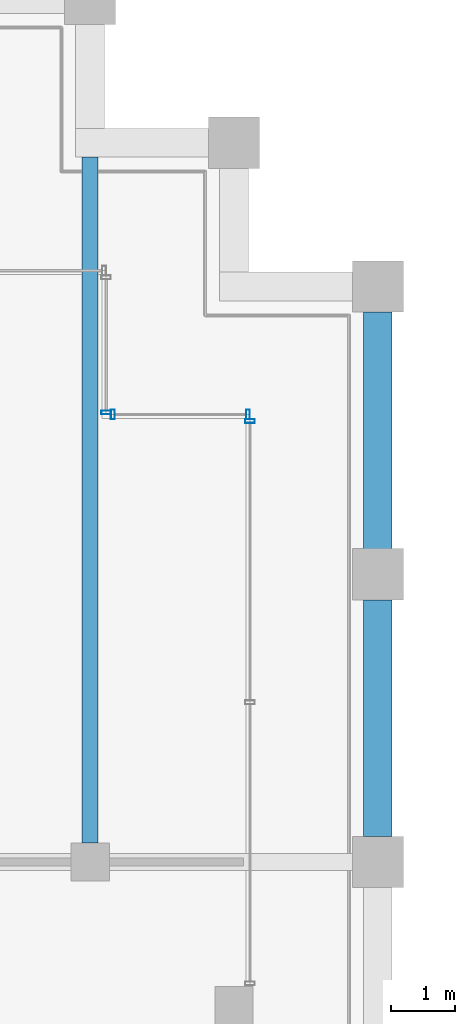
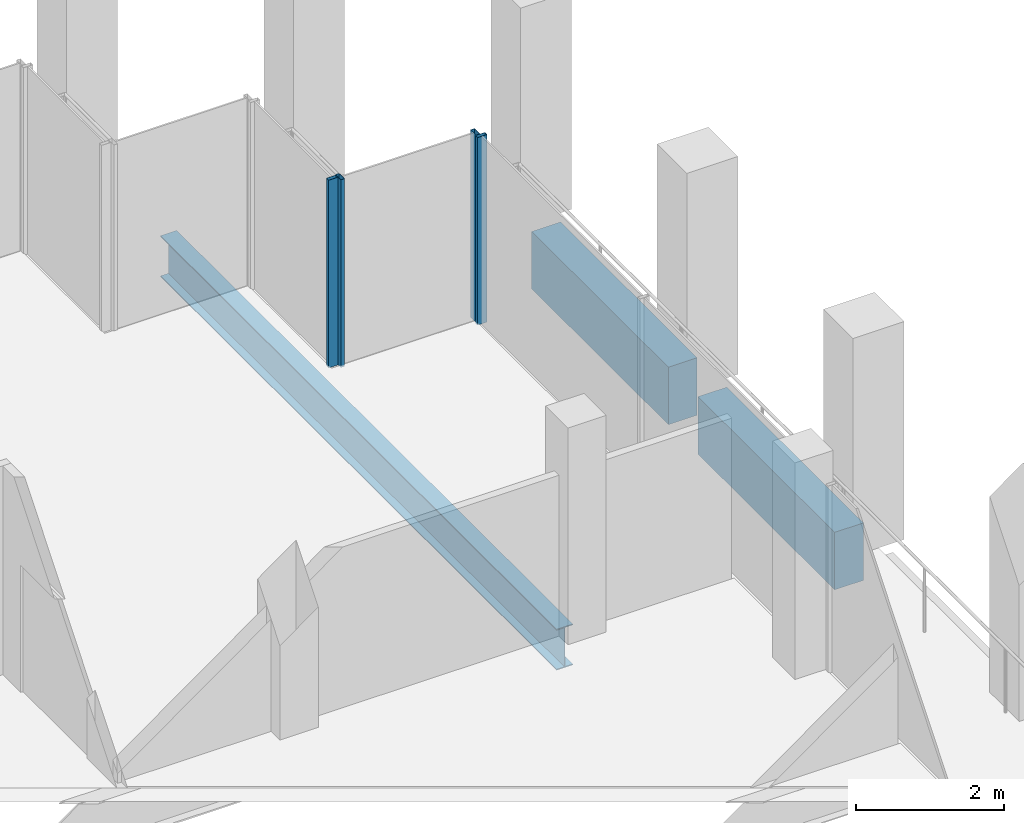
# One storey, part 25 of 41: 4 members, 3 beams, 3 elements without a shape of their own.
"""IFC4 building model written with IfcOpenShell, lengths in metres."""

from ifc_helpers import new_model, si_unit, direction, frame, origin, origin_2d, place, context, subcontext, project, spatial, rectangle, hollow_rectangle, i_section, extrude, material, material_profile, profile_set, type_object, element, aggregate, save


model = new_model("IFC4")

# Units and contexts
model_context = context("Model", 3, precision=1e-05, world=origin(), true_north=direction((0.0, 1.0)))
body_context = subcontext(model_context, "Body", "Model", "MODEL_VIEW")
ifc_project = project(units=[si_unit("LENGTHUNIT", "METRE"), si_unit("AREAUNIT", "SQUARE_METRE"), si_unit("VOLUMEUNIT", "CUBIC_METRE"), si_unit("PLANEANGLEUNIT", "RADIAN"), si_unit("MASSUNIT", "GRAM", prefix="KILO")], contexts=[model_context])

# Site, building, storey
site_placement = place(None, origin())
site = spatial("IfcSite", under=ifc_project, at=site_placement, CompositionType="ELEMENT")
building_placement = place(site_placement, origin())
building = spatial("IfcBuilding", under=site, at=building_placement, Name="Altepetl Exchange Towers", CompositionType="ELEMENT")
storey_placement = place(building_placement, frame((0.0, 0.0, 206.39990234375)))
storey = spatial("IfcBuildingStorey", under=building, at=storey_placement, Name="L52", CompositionType="ELEMENT", Elevation=206.39990234375)

# Beam
ifc_material_1 = material(Name="Steel S355", Category="steel")
ifc_material_profile_1 = material_profile(ifc_material_1, i_section(OverallWidth=0.2529296875, OverallDepth=0.677978515625, WebThickness=0.01171875, FlangeThickness=0.016357421875, at=origin_2d()), Name="W27X84")
ifc_profile_set_1 = profile_set([ifc_material_profile_1], Name="Steel S355")
beam_type_1 = type_object("IfcBeamType", Name="Floor beam W27X84", PredefinedType="BEAM", material=ifc_profile_set_1)
beam_placement = place(storey_placement, frame((67.5, 58.800048828125, -0.489013671875), z_axis=(0.0, 1.0, 0.0), x_axis=(-1.0, 0.0, 0.0)))
element("IfcBeam", 1, at=beam_placement, inside=storey, type_object=beam_type_1, Name="bm:A:L52:005", PredefinedType="BEAM", context=body_context, shape_type="SweptSolid", body=[
    extrude(i_section(OverallWidth=0.2529296875, OverallDepth=0.677978515625, WebThickness=0.01171875, FlangeThickness=0.016357421875, at=origin_2d()), origin(), (0.0, 0.0, 1.0), 10.724853515625),
])

# Curtain wall, member
ifc_material_2 = material(Name="Aluminium 6063-T6 glazing", Category="aluminium")
curtain_wall_type = type_object("IfcCurtainWallType", Name="Loggia glazing system", PredefinedType="NOTDEFINED", material=ifc_material_2)
curtain_wall_1_placement = place(storey_placement, origin())
curtain_wall_1 = element("IfcCurtainWall", 2, at=curtain_wall_1_placement, inside=storey, type_object=curtain_wall_type, Name="CW1 run", PredefinedType="NOTDEFINED")
ifc_material_3 = material(Name="Aluminium 6063-T6", Category="aluminium")
ifc_material_profile_2 = material_profile(ifc_material_3, hollow_rectangle(XDim=0.06005859375, YDim=0.14990234375, WallThickness=0.0029296875, at=origin_2d()), Name="Mullion 60x150 aluminium")
ifc_profile_set_2 = profile_set([ifc_material_profile_2], Name="Aluminium 6063-T6")
member_type = type_object("IfcMemberType", Name="Mullion 60x150 aluminium", PredefinedType="MULLION", material=ifc_profile_set_2)
member_1_placement = place(storey_placement, frame((70.0, 65.39501953125, 0.0), z_axis=(0.0, 0.0, 1.0), x_axis=(0.0, 1.0, 0.0)))
member_1 = element("IfcMember", 3, at=member_1_placement, type_object=member_type, Name="MU1 mullion", PredefinedType="MULLION", context=body_context, shape_type="SweptSolid", body=[
    extrude(hollow_rectangle(XDim=0.06005859375, YDim=0.14990234375, WallThickness=0.0029296875, at=origin_2d()), origin(), (0.0, 0.0, 1.0), 3.10009765625),
])
aggregate(curtain_wall_1, [member_1])

# Curtain wall, members
curtain_wall_2_placement = place(storey_placement, origin())
curtain_wall_2 = element("IfcCurtainWall", 4, at=curtain_wall_2_placement, inside=storey, type_object=curtain_wall_type, Name="CW1 run", PredefinedType="NOTDEFINED")
member_2_placement = place(storey_placement, frame((69.969970703125, 65.5, 0.0), z_axis=(0.0, 0.0, 1.0), x_axis=(-1.0, 0.0, 0.0)))
member_2 = element("IfcMember", 5, at=member_2_placement, type_object=member_type, Name="MU1 mullion", PredefinedType="MULLION", context=body_context, shape_type="SweptSolid", body=[
    extrude(hollow_rectangle(XDim=0.06005859375, YDim=0.14990234375, WallThickness=0.0029296875, at=origin_2d()), origin(), (0.0, 0.0, 1.0), 3.10009765625),
])
member_3_placement = place(storey_placement, frame((67.85498046875, 65.5, 0.0), z_axis=(0.0, 0.0, 1.0), x_axis=(-1.0, 0.0, 0.0)))
member_3 = element("IfcMember", 6, at=member_3_placement, type_object=member_type, Name="MU1 mullion", PredefinedType="MULLION", context=body_context, shape_type="SweptSolid", body=[
    extrude(hollow_rectangle(XDim=0.06005859375, YDim=0.14990234375, WallThickness=0.0029296875, at=origin_2d()), origin(), (0.0, 0.0, 1.0), 3.10009765625),
])
aggregate(curtain_wall_2, [member_2, member_3])

# Curtain wall, member
curtain_wall_3_placement = place(storey_placement, origin())
curtain_wall_3 = element("IfcCurtainWall", 7, at=curtain_wall_3_placement, inside=storey, type_object=curtain_wall_type, Name="CW1 run", PredefinedType="NOTDEFINED")
member_4_placement = place(storey_placement, frame((67.75, 65.530029296875, 0.0), z_axis=(0.0, 0.0, 1.0), x_axis=(0.0, 1.0, 0.0)))
member_4 = element("IfcMember", 8, at=member_4_placement, type_object=member_type, Name="MU1 mullion", PredefinedType="MULLION", context=body_context, shape_type="SweptSolid", body=[
    extrude(hollow_rectangle(XDim=0.06005859375, YDim=0.14990234375, WallThickness=0.0029296875, at=origin_2d()), origin(), (0.0, 0.0, 1.0), 3.10009765625),
])
aggregate(curtain_wall_3, [member_4])

# Beams
ifc_material_4 = material(Name="Concrete C50/60 precast with cantera rosa facing", Category="concrete")
ifc_material_profile_3 = material_profile(ifc_material_4, rectangle(XDim=0.449951171875, YDim=0.949951171875, at=origin_2d()), Name="450 x 950")
ifc_profile_set_3 = profile_set([ifc_material_profile_3], Name="Concrete C50/60 precast with cantera rosa facing")
beam_type_2 = type_object("IfcBeamType", Name="Spandrel beam 450x950 cantera rosa", PredefinedType="SPANDREL", material=ifc_profile_set_3)
for number, where, z_axis, x_axis, name in (
    (9, (72.0, 58.89990234375, -0.625), (0.0, 1.0, 0.0), (-1.0, 0.0, 0.0), "sp:A:L52:018"),
    (10, (72.0, 63.39990234375, -0.625), (0.0, 1.0, 0.0), (-1.0, 0.0, 0.0), "sp:A:L52:019"),
):
    element("IfcBeam", number, at=place(storey_placement, frame(where, z_axis=z_axis, x_axis=x_axis)), inside=storey, type_object=beam_type_2, Name=name, PredefinedType="SPANDREL", context=body_context, shape_type="SweptSolid", body=[
        extrude(rectangle(XDim=0.449951171875, YDim=0.949951171875, at=origin_2d()), origin(), (0.0, 0.0, 1.0), 3.7001953125),
    ])

save(model, "model.ifc")
